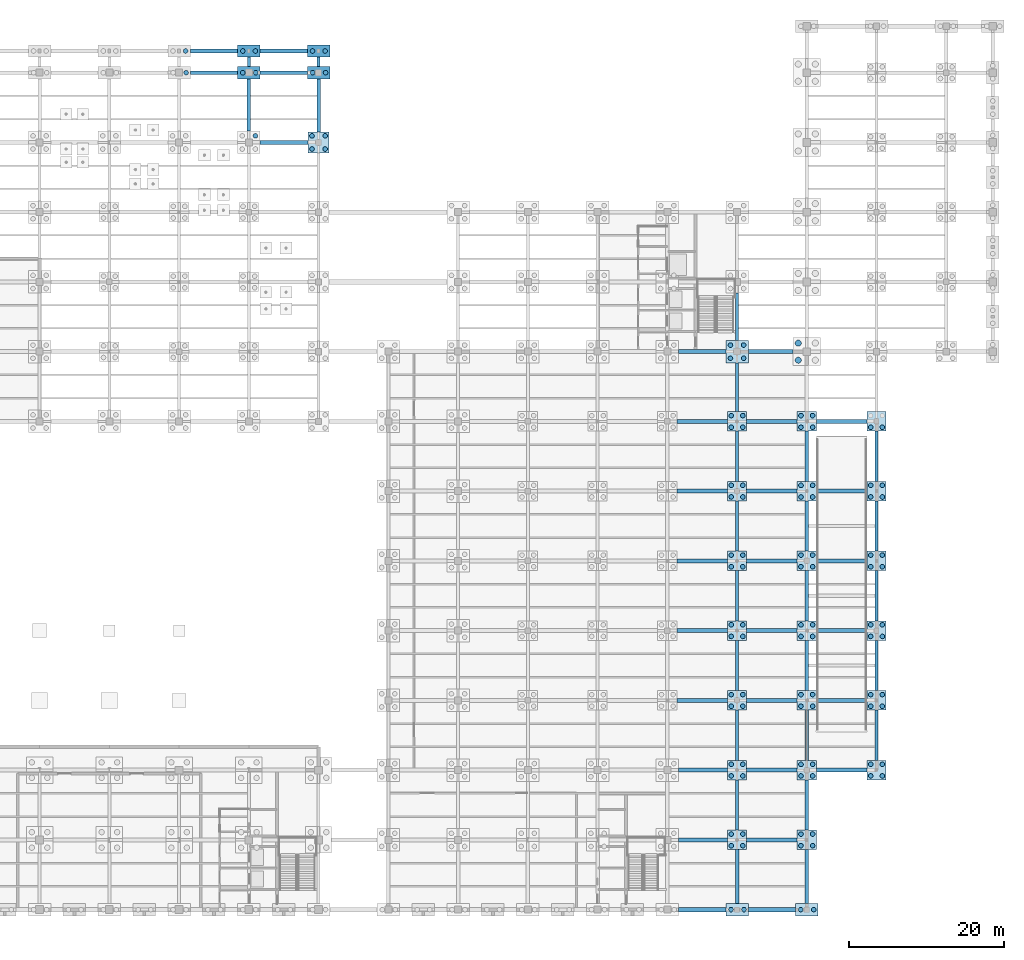
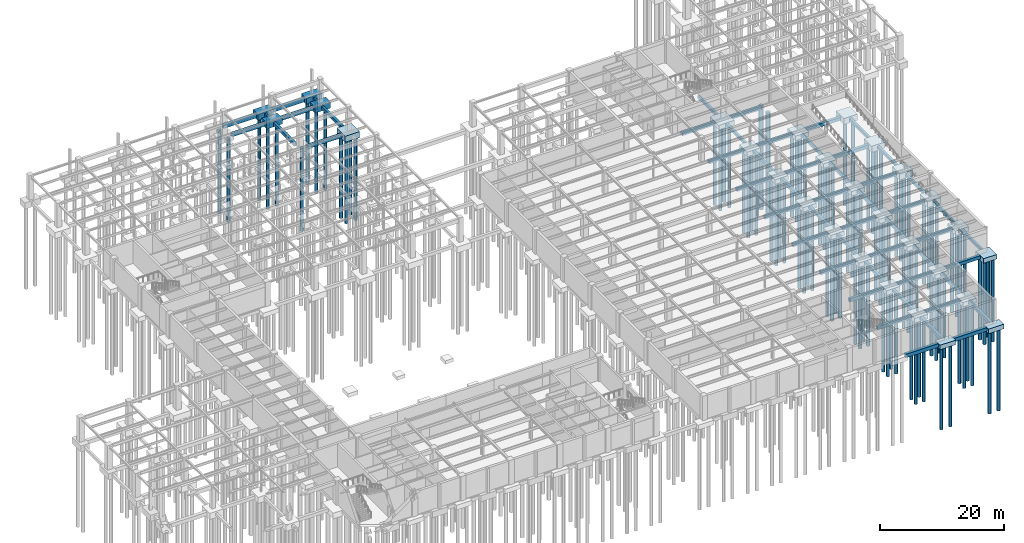
# One storey, part 7 of 49: 103 piles, 82 footings.
"""IFC4 building model written with IfcOpenShell, lengths in metres."""

import ifcopenshell
import ifcopenshell.guid

model = None  # the IFC model being written
_history = None  # IfcOwnerHistory: only IFC2X3 demands one
_inside = {}  # id of a spatial element -> (the spatial element, [elements in it])
_under = {}  # id of a project, library or spatial element -> (it, [spatial elements below it])
_declared = {}  # id of a project -> (the project, [libraries it declares])
_typed = {}  # id of a type object -> (the type object, [elements of that type])
_made_of = {}  # id of a material, layer set ... -> (it, [elements and type objects made of it])


def new_model(schema):
    """Start an empty IFC model of exactly this schema.

    Asked for "IFC4X3", IfcOpenShell would pick the latest addendum, in which some entities
    have other attributes; the version numbers below select the first issue.
    IFC2X3 requires an IfcOwnerHistory on every rooted entity: one is made here for all.
    """
    global model, _history
    if schema == "IFC4X3":
        model = ifcopenshell.file(schema_version=(4, 3, 0, 0))
    else:
        model = ifcopenshell.file(schema=schema)
    _inside.clear()
    _under.clear()
    _declared.clear()
    _typed.clear()
    _made_of.clear()
    _history = None
    if model.schema == "IFC2X3":
        org = make("IfcOrganization", Name="unknown")
        user = make(
            "IfcPersonAndOrganization",
            ThePerson=make("IfcPerson", FamilyName="unknown"),
            TheOrganization=org,
        )
        app = make(
            "IfcApplication",
            ApplicationDeveloper=org,
            Version="unknown",
            ApplicationFullName="unknown",
            ApplicationIdentifier="unknown",
        )
        _history = make(
            "IfcOwnerHistory",
            OwningUser=user,
            OwningApplication=app,
            ChangeAction="ADDED",
            CreationDate=0,
        )
    return model


def make(cls, **values):
    """One entity of the class cls with the attributes given. An attribute that is None is left unset."""
    return model.create_entity(
        cls, **{name: value for name, value in values.items() if value is not None}
    )


def rooted(cls, **values):
    """An entity with a GlobalId (a new one), such as an element, a storey or a relation."""
    return make(cls, GlobalId=ifcopenshell.guid.new(), OwnerHistory=_history, **values)


def si_unit(unit_type, name, prefix=None):
    """IfcSIUnit, for example si_unit("LENGTHUNIT", "METRE", prefix="MILLI")."""
    return make("IfcSIUnit", UnitType=unit_type, Prefix=prefix, Name=name)


def assignment(units):
    """IfcUnitAssignment: the units of a project."""
    return None if units is None else make("IfcUnitAssignment", Units=units)


def point(xyz):
    """IfcCartesianPoint."""
    return None if xyz is None else make("IfcCartesianPoint", Coordinates=xyz)


def direction(xyz):
    """IfcDirection."""
    return None if xyz is None else make("IfcDirection", DirectionRatios=xyz)


def frame(location, z_axis=None, x_axis=None):
    """IfcAxis2Placement3D, a coordinate frame: its origin and axes. An axis left out is left unset."""
    return make(
        "IfcAxis2Placement3D",
        Location=point(location),
        Axis=direction(z_axis),
        RefDirection=direction(x_axis),
    )


def frame_2d(location, x_axis=None):
    """IfcAxis2Placement2D, a coordinate frame in the plane: its origin and x axis."""
    return make(
        "IfcAxis2Placement2D", Location=point(location), RefDirection=direction(x_axis)
    )


def origin():
    """The frame at (0, 0, 0) with its axes left unset."""
    return frame((0.0, 0.0, 0.0))


def origin_2d():
    """The frame at (0, 0) in the plane with its x axis left unset."""
    return frame_2d((0.0, 0.0))


def place(relative_to, where):
    """IfcLocalPlacement: puts the frame where relative to a parent placement (None: the world)."""
    return make(
        "IfcLocalPlacement", PlacementRelTo=relative_to, RelativePlacement=where
    )


def context(
    kind, dimensions, precision=None, world=None, true_north=None, identifier=None
):
    """IfcGeometricRepresentationContext, for example the 3D "Model" context."""
    return make(
        "IfcGeometricRepresentationContext",
        ContextIdentifier=identifier,
        ContextType=kind,
        CoordinateSpaceDimension=dimensions,
        Precision=precision,
        WorldCoordinateSystem=world,
        TrueNorth=true_north,
    )


def subcontext(parent, identifier, kind, view, scale=None):
    """IfcGeometricRepresentationSubContext, for example "Body" below "Model"."""
    return make(
        "IfcGeometricRepresentationSubContext",
        ContextIdentifier=identifier,
        ContextType=kind,
        ParentContext=parent,
        TargetScale=scale,
        TargetView=view,
    )


def project(units=None, contexts=None):
    """IfcProject with its units and contexts."""
    return rooted(
        "IfcProject",
        Name="project",
        RepresentationContexts=contexts,
        UnitsInContext=assignment(units),
    )


def spatial(cls, under=None, at=None, **own):
    """A site, building, storey or space (cls), placed at a placement, below another one or the project."""
    s = rooted(cls, ObjectPlacement=at, **own)
    if under is not None:
        _under.setdefault(under.id(), (under, []))[1].append(s)
    return s


def profile(cls, at=None, kind="AREA", **sizes):
    """A parametric profile (cls). Its sizes go by their IFC names, for example OverallWidth=200.0."""
    return make(cls, ProfileType=kind, Position=at, **sizes)


def rectangle(**sizes):
    """IfcRectangleProfileDef."""
    return profile("IfcRectangleProfileDef", **sizes)


def circle(**sizes):
    """IfcCircleProfileDef."""
    return profile("IfcCircleProfileDef", **sizes)


def extrude(swept, where, along, depth):
    """IfcExtrudedAreaSolid: the profile swept, set in the frame where, extruded along a direction by depth."""
    return make(
        "IfcExtrudedAreaSolid",
        SweptArea=swept,
        Position=where,
        ExtrudedDirection=direction(along),
        Depth=depth,
    )


def shape(context_of_items, identifier, shape_type, items):
    """IfcShapeRepresentation: the items that make up one representation, for example the "Body"."""
    return make(
        "IfcShapeRepresentation",
        ContextOfItems=context_of_items,
        RepresentationIdentifier=identifier,
        RepresentationType=shape_type,
        Items=items,
    )


def material(Name=None, Category=None):
    """IfcMaterial."""
    return make("IfcMaterial", Name=Name, Category=Category)


def material_profile(
    of_material, cross_section, Name=None, Category=None, Priority=None
):
    """IfcMaterialProfile: a cross section and its material."""
    return make(
        "IfcMaterialProfile",
        Name=Name,
        Material=of_material,
        Profile=cross_section,
        Priority=Priority,
        Category=Category,
    )


def profile_set(profiles, Name=None, composite=None):
    """IfcMaterialProfileSet."""
    return make(
        "IfcMaterialProfileSet",
        Name=Name,
        MaterialProfiles=profiles,
        CompositeProfile=composite,
    )


def made_of(thing, what):
    """Note that an element or type object is made of a material, layer set ...; save() writes the relation."""
    if what is not None:
        _made_of.setdefault(what.id(), (what, []))[1].append(thing)
    return thing


def type_object(cls, material=None, **own):
    """A type object (cls), such as IfcWallType, which elements share."""
    return made_of(rooted(cls, **own), material)


def element(
    cls,
    number,
    at=None,
    inside=None,
    cuts=None,
    type_object=None,
    material=None,
    context=None,
    identifier="Body",
    shape_type=None,
    held_by="IfcProductDefinitionShape",
    body=None,
    shapes=None,
    **own,
):
    """One element of the class cls, such as IfcWall. Its Tag is "e" and its number.

    at: its placement. inside: the storey or other place that contains it. cuts: it is an
    opening in that element (IfcRelVoidsElement). A single representation is given by context,
    identifier, shape_type and body (its items); several are given by shapes. held_by: the class
    of the entity that holds the representations. save() writes the other relations.
    """
    e = rooted(cls, Tag="e%d" % number, ObjectPlacement=at, **own)
    if body is not None:
        shapes = [shape(context, identifier, shape_type, body)]
    if shapes is not None:
        e.Representation = make(held_by, Representations=shapes)
    if inside is not None:
        _inside.setdefault(inside.id(), (inside, []))[1].append(e)
    if cuts is not None:
        rooted(
            "IfcRelVoidsElement", RelatingBuildingElement=cuts, RelatedOpeningElement=e
        )
    if type_object is not None:
        _typed.setdefault(type_object.id(), (type_object, []))[1].append(e)
    return made_of(e, material)


def aggregate(whole, parts):
    """IfcRelAggregates: a whole, such as a stair, and the parts it consists of."""
    return rooted("IfcRelAggregates", RelatingObject=whole, RelatedObjects=parts)


def save(model, path):
    """Write the relations noted so far, then the file.

    IfcRelAggregates (storeys below a building ...), IfcRelContainedInSpatialStructure (elements
    in a storey), IfcRelDefinesByType, IfcRelAssociatesMaterial and IfcRelDeclares: one each for
    every whole, place, type object, material and project.
    """
    for whole, parts in _under.values():
        aggregate(whole, parts)
    for where, things in _inside.values():
        rooted(
            "IfcRelContainedInSpatialStructure",
            RelatedElements=things,
            RelatingStructure=where,
        )
    for kind, things in _typed.values():
        rooted("IfcRelDefinesByType", RelatedObjects=things, RelatingType=kind)
    for what, things in _made_of.values():
        rooted("IfcRelAssociatesMaterial", RelatedObjects=things, RelatingMaterial=what)
    for by, libraries in _declared.values():
        rooted("IfcRelDeclares", RelatingContext=by, RelatedDefinitions=libraries)
    model.write(path)


model = new_model("IFC4")

# Units and contexts
model_context = context("Model", 3, precision=1e-05, world=origin(), true_north=direction((0.0, 1.0)))
body_context = subcontext(model_context, "Body", "Model", "MODEL_VIEW")
ifc_project = project(units=[si_unit("LENGTHUNIT", "METRE"), si_unit("AREAUNIT", "SQUARE_METRE"), si_unit("VOLUMEUNIT", "CUBIC_METRE"), si_unit("PLANEANGLEUNIT", "RADIAN"), si_unit("MASSUNIT", "GRAM", prefix="KILO")], contexts=[model_context])

# Site, building, storey
site_placement = place(None, origin())
site = spatial("IfcSite", under=ifc_project, at=site_placement, CompositionType="ELEMENT")
building_placement = place(site_placement, origin())
building = spatial("IfcBuilding", under=site, at=building_placement, Name="Lykobir Media Centre", CompositionType="ELEMENT")
storey_placement = place(building_placement, frame((0.0, 0.0, -4.800048828125)))
storey = spatial("IfcBuildingStorey", under=building, at=storey_placement, Name="B1", CompositionType="ELEMENT", Elevation=-4.800048828125)

# Piles
ifc_material_1 = material(Name="Concrete C30/37", Category="concrete")
ifc_material_profile_1 = material_profile(ifc_material_1, circle(Radius=0.300048828125, at=origin_2d()), Name="BORED PILE D600")
ifc_profile_set_1 = profile_set([ifc_material_profile_1], Name="Concrete C30/37")
pile_type_1 = type_object("IfcPileType", Name="BP-600", PredefinedType="BORED", material=ifc_profile_set_1)
for number, where, z_axis, x_axis, name in (
    (1, (63.89990234375, 108.0, -1.099853515625), (0.0, 0.0, -1.0), (1.0, 0.0, 0.0), "Bored pile PILE-0639-1080-2"),
    (2, (72.85009765625, 99.85009765625, -1.099853515625), (0.0, 0.0, -1.0), (1.0, 0.0, 0.0), "Bored pile PILE-0728-0998-4"),
    (3, (71.219970703125, 108.0, -1.099853515625), (0.0, 0.0, -1.0), (1.0, 0.0, 0.0), "Bored pile PILE-0712-1080-1"),
    (4, (72.89990234375, 108.0, -1.099853515625), (0.0, 0.0, -1.0), (1.0, 0.0, 0.0), "Bored pile PILE-0729-1080-2"),
    (5, (80.14990234375, 98.14990234375, -1.099853515625), (0.0, 0.0, -1.0), (1.0, 0.0, 0.0), "Bored pile PILE-0802-0982-1"),
    (6, (81.85009765625, 98.14990234375, -1.099853515625), (0.0, 0.0, -1.0), (1.0, 0.0, 0.0), "Bored pile PILE-0818-0982-2"),
    (7, (80.14990234375, 99.85009765625, -1.099853515625), (0.0, 0.0, -1.0), (1.0, 0.0, 0.0), "Bored pile PILE-0802-0998-3"),
    (8, (81.85009765625, 99.85009765625, -1.099853515625), (0.0, 0.0, -1.0), (1.0, 0.0, 0.0), "Bored pile PILE-0818-0998-4"),
    (9, (80.219970703125, 108.0, -1.099853515625), (0.0, 0.0, -1.0), (1.0, 0.0, 0.0), "Bored pile PILE-0802-1080-1"),
    (10, (81.89990234375, 108.0, -1.099853515625), (0.0, 0.0, -1.0), (1.0, 0.0, 0.0), "Bored pile PILE-0819-1080-2"),
    (11, (134.219970703125, 0.0, -1.099853515625), (0.0, 0.0, -1.0), (1.0, 0.0, 0.0), "Bored pile PILE-1342-0000-1"),
    (12, (135.89990234375, 0.0, -1.099853515625), (0.0, 0.0, -1.0), (1.0, 0.0, 0.0), "Bored pile PILE-1359-0000-2"),
    (13, (134.25, 8.25, -1.099853515625), (0.0, 0.0, -1.0), (1.0, 0.0, 0.0), "Bored pile PILE-1342-0082-1"),
    (14, (135.75, 8.25, -1.099853515625), (0.0, 0.0, -1.0), (1.0, 0.0, 0.0), "Bored pile PILE-1358-0082-2"),
    (15, (134.25, 9.75, -1.099853515625), (0.0, 0.0, -1.0), (1.0, 0.0, 0.0), "Bored pile PILE-1342-0098-3"),
    (16, (135.75, 9.75, -1.099853515625), (0.0, 0.0, -1.0), (1.0, 0.0, 0.0), "Bored pile PILE-1358-0098-4"),
    (17, (134.25, 17.25, -1.099853515625), (0.0, 0.0, -1.0), (1.0, 0.0, 0.0), "Bored pile PILE-1342-0172-1"),
    (18, (135.75, 17.25, -1.099853515625), (0.0, 0.0, -1.0), (1.0, 0.0, 0.0), "Bored pile PILE-1358-0172-2"),
    (19, (134.25, 18.75, -1.099853515625), (0.0, 0.0, -1.0), (1.0, 0.0, 0.0), "Bored pile PILE-1342-0188-3"),
    (20, (135.75, 18.75, -1.099853515625), (0.0, 0.0, -1.0), (1.0, 0.0, 0.0), "Bored pile PILE-1358-0188-4"),
    (21, (134.25, 26.25, -1.099853515625), (0.0, 0.0, -1.0), (1.0, 0.0, 0.0), "Bored pile PILE-1342-0262-1"),
    (22, (135.75, 26.25, -1.099853515625), (0.0, 0.0, -1.0), (1.0, 0.0, 0.0), "Bored pile PILE-1358-0262-2"),
    (23, (134.25, 27.75, -1.099853515625), (0.0, 0.0, -1.0), (1.0, 0.0, 0.0), "Bored pile PILE-1342-0278-3"),
    (24, (135.75, 27.75, -1.099853515625), (0.0, 0.0, -1.0), (1.0, 0.0, 0.0), "Bored pile PILE-1358-0278-4"),
    (25, (134.25, 35.25, -1.099853515625), (0.0, 0.0, -1.0), (1.0, 0.0, 0.0), "Bored pile PILE-1342-0352-1"),
    (26, (135.75, 35.25, -1.099853515625), (0.0, 0.0, -1.0), (1.0, 0.0, 0.0), "Bored pile PILE-1358-0352-2"),
    (27, (134.25, 36.75, -1.099853515625), (0.0, 0.0, -1.0), (1.0, 0.0, 0.0), "Bored pile PILE-1342-0368-3"),
    (28, (135.75, 36.75, -1.099853515625), (0.0, 0.0, -1.0), (1.0, 0.0, 0.0), "Bored pile PILE-1358-0368-4"),
    (29, (134.25, 44.25, -1.099853515625), (0.0, 0.0, -1.0), (1.0, 0.0, 0.0), "Bored pile PILE-1342-0442-1"),
    (30, (135.75, 44.25, -1.099853515625), (0.0, 0.0, -1.0), (1.0, 0.0, 0.0), "Bored pile PILE-1358-0442-2"),
    (31, (134.25, 45.75, -1.099853515625), (0.0, 0.0, -1.0), (1.0, 0.0, 0.0), "Bored pile PILE-1342-0458-3"),
    (32, (135.75, 45.75, -1.099853515625), (0.0, 0.0, -1.0), (1.0, 0.0, 0.0), "Bored pile PILE-1358-0458-4"),
    (33, (134.25, 53.25, -1.099853515625), (0.0, 0.0, -1.0), (1.0, 0.0, 0.0), "Bored pile PILE-1342-0532-1"),
    (34, (135.75, 53.25, -1.099853515625), (0.0, 0.0, -1.0), (1.0, 0.0, 0.0), "Bored pile PILE-1358-0532-2"),
    (35, (134.25, 54.75, -1.099853515625), (0.0, 0.0, -1.0), (1.0, 0.0, 0.0), "Bored pile PILE-1342-0548-3"),
    (36, (135.75, 54.75, -1.099853515625), (0.0, 0.0, -1.0), (1.0, 0.0, 0.0), "Bored pile PILE-1358-0548-4"),
    (37, (134.25, 62.25, -1.099853515625), (0.0, 0.0, -1.0), (1.0, 0.0, 0.0), "Bored pile PILE-1342-0622-1"),
    (38, (135.75, 62.25, -1.099853515625), (0.0, 0.0, -1.0), (1.0, 0.0, 0.0), "Bored pile PILE-1358-0622-2"),
    (39, (134.25, 63.75, -1.099853515625), (0.0, 0.0, -1.0), (1.0, 0.0, 0.0), "Bored pile PILE-1342-0638-3"),
    (40, (135.75, 63.75, -1.099853515625), (0.0, 0.0, -1.0), (1.0, 0.0, 0.0), "Bored pile PILE-1358-0638-4"),
    (41, (134.14990234375, 71.14990234375, -1.099853515625), (0.0, 0.0, -1.0), (1.0, 0.0, 0.0), "Bored pile PILE-1342-0712-1"),
    (42, (135.85009765625, 71.14990234375, -1.099853515625), (0.0, 0.0, -1.0), (1.0, 0.0, 0.0), "Bored pile PILE-1358-0712-2"),
    (43, (134.14990234375, 72.85009765625, -1.099853515625), (0.0, 0.0, -1.0), (1.0, 0.0, 0.0), "Bored pile PILE-1342-0728-3"),
    (44, (135.85009765625, 72.85009765625, -1.099853515625), (0.0, 0.0, -1.0), (1.0, 0.0, 0.0), "Bored pile PILE-1358-0728-4"),
    (45, (143.219970703125, 0.0, -1.099853515625), (0.0, 0.0, -1.0), (1.0, 0.0, 0.0), "Bored pile PILE-1432-0000-1"),
    (46, (144.89990234375, 0.0, -1.099853515625), (0.0, 0.0, -1.0), (1.0, 0.0, 0.0), "Bored pile PILE-1449-0000-2"),
    (47, (143.25, 8.25, -1.099853515625), (0.0, 0.0, -1.0), (1.0, 0.0, 0.0), "Bored pile PILE-1432-0082-1"),
    (48, (144.75, 8.25, -1.099853515625), (0.0, 0.0, -1.0), (1.0, 0.0, 0.0), "Bored pile PILE-1448-0082-2"),
    (49, (143.25, 9.75, -1.099853515625), (0.0, 0.0, -1.0), (1.0, 0.0, 0.0), "Bored pile PILE-1432-0098-3"),
    (50, (144.75, 9.75, -1.099853515625), (0.0, 0.0, -1.0), (1.0, 0.0, 0.0), "Bored pile PILE-1448-0098-4"),
    (51, (143.25, 17.25, -1.099853515625), (0.0, 0.0, -1.0), (1.0, 0.0, 0.0), "Bored pile PILE-1432-0172-1"),
    (52, (144.75, 17.25, -1.099853515625), (0.0, 0.0, -1.0), (1.0, 0.0, 0.0), "Bored pile PILE-1448-0172-2"),
    (53, (143.25, 18.75, -1.099853515625), (0.0, 0.0, -1.0), (1.0, 0.0, 0.0), "Bored pile PILE-1432-0188-3"),
    (54, (144.75, 18.75, -1.099853515625), (0.0, 0.0, -1.0), (1.0, 0.0, 0.0), "Bored pile PILE-1448-0188-4"),
    (55, (143.25, 26.25, -1.099853515625), (0.0, 0.0, -1.0), (1.0, 0.0, 0.0), "Bored pile PILE-1432-0262-1"),
    (56, (144.75, 26.25, -1.099853515625), (0.0, 0.0, -1.0), (1.0, 0.0, 0.0), "Bored pile PILE-1448-0262-2"),
    (57, (143.25, 27.75, -1.099853515625), (0.0, 0.0, -1.0), (1.0, 0.0, 0.0), "Bored pile PILE-1432-0278-3"),
    (58, (144.75, 27.75, -1.099853515625), (0.0, 0.0, -1.0), (1.0, 0.0, 0.0), "Bored pile PILE-1448-0278-4"),
    (59, (143.25, 35.25, -1.099853515625), (0.0, 0.0, -1.0), (1.0, 0.0, 0.0), "Bored pile PILE-1432-0352-1"),
    (60, (144.75, 35.25, -1.099853515625), (0.0, 0.0, -1.0), (1.0, 0.0, 0.0), "Bored pile PILE-1448-0352-2"),
    (61, (143.25, 36.75, -1.099853515625), (0.0, 0.0, -1.0), (1.0, 0.0, 0.0), "Bored pile PILE-1432-0368-3"),
    (62, (144.75, 36.75, -1.099853515625), (0.0, 0.0, -1.0), (1.0, 0.0, 0.0), "Bored pile PILE-1448-0368-4"),
    (63, (143.25, 44.25, -1.099853515625), (0.0, 0.0, -1.0), (1.0, 0.0, 0.0), "Bored pile PILE-1432-0442-1"),
    (64, (144.75, 44.25, -1.099853515625), (0.0, 0.0, -1.0), (1.0, 0.0, 0.0), "Bored pile PILE-1448-0442-2"),
    (65, (143.25, 45.75, -1.099853515625), (0.0, 0.0, -1.0), (1.0, 0.0, 0.0), "Bored pile PILE-1432-0458-3"),
    (66, (144.75, 45.75, -1.099853515625), (0.0, 0.0, -1.0), (1.0, 0.0, 0.0), "Bored pile PILE-1448-0458-4"),
    (67, (143.25, 53.25, -1.099853515625), (0.0, 0.0, -1.0), (1.0, 0.0, 0.0), "Bored pile PILE-1432-0532-1"),
    (68, (144.75, 53.25, -1.099853515625), (0.0, 0.0, -1.0), (1.0, 0.0, 0.0), "Bored pile PILE-1448-0532-2"),
    (69, (143.25, 54.75, -1.099853515625), (0.0, 0.0, -1.0), (1.0, 0.0, 0.0), "Bored pile PILE-1432-0548-3"),
    (70, (144.75, 54.75, -1.099853515625), (0.0, 0.0, -1.0), (1.0, 0.0, 0.0), "Bored pile PILE-1448-0548-4"),
    (71, (143.25, 62.25, -1.099853515625), (0.0, 0.0, -1.0), (1.0, 0.0, 0.0), "Bored pile PILE-1432-0622-1"),
    (72, (144.75, 62.25, -1.099853515625), (0.0, 0.0, -1.0), (1.0, 0.0, 0.0), "Bored pile PILE-1448-0622-2"),
    (73, (143.25, 63.75, -1.099853515625), (0.0, 0.0, -1.0), (1.0, 0.0, 0.0), "Bored pile PILE-1432-0638-3"),
    (74, (144.75, 63.75, -1.099853515625), (0.0, 0.0, -1.0), (1.0, 0.0, 0.0), "Bored pile PILE-1448-0638-4"),
    (75, (152.25, 17.25, -1.099853515625), (0.0, 0.0, -1.0), (1.0, 0.0, 0.0), "Bored pile PILE-1522-0172-1"),
    (76, (153.75, 17.25, -1.099853515625), (0.0, 0.0, -1.0), (1.0, 0.0, 0.0), "Bored pile PILE-1538-0172-2"),
    (77, (152.25, 18.75, -1.099853515625), (0.0, 0.0, -1.0), (1.0, 0.0, 0.0), "Bored pile PILE-1522-0188-3"),
    (78, (153.75, 18.75, -1.099853515625), (0.0, 0.0, -1.0), (1.0, 0.0, 0.0), "Bored pile PILE-1538-0188-4"),
    (79, (152.25, 26.25, -1.099853515625), (0.0, 0.0, -1.0), (1.0, 0.0, 0.0), "Bored pile PILE-1522-0262-1"),
    (80, (153.75, 26.25, -1.099853515625), (0.0, 0.0, -1.0), (1.0, 0.0, 0.0), "Bored pile PILE-1538-0262-2"),
    (81, (152.25, 27.75, -1.099853515625), (0.0, 0.0, -1.0), (1.0, 0.0, 0.0), "Bored pile PILE-1522-0278-3"),
    (82, (153.75, 27.75, -1.099853515625), (0.0, 0.0, -1.0), (1.0, 0.0, 0.0), "Bored pile PILE-1538-0278-4"),
    (83, (152.25, 35.25, -1.099853515625), (0.0, 0.0, -1.0), (1.0, 0.0, 0.0), "Bored pile PILE-1522-0352-1"),
    (84, (153.75, 35.25, -1.099853515625), (0.0, 0.0, -1.0), (1.0, 0.0, 0.0), "Bored pile PILE-1538-0352-2"),
    (85, (152.25, 36.75, -1.099853515625), (0.0, 0.0, -1.0), (1.0, 0.0, 0.0), "Bored pile PILE-1522-0368-3"),
    (86, (153.75, 36.75, -1.099853515625), (0.0, 0.0, -1.0), (1.0, 0.0, 0.0), "Bored pile PILE-1538-0368-4"),
    (87, (152.25, 44.25, -1.099853515625), (0.0, 0.0, -1.0), (1.0, 0.0, 0.0), "Bored pile PILE-1522-0442-1"),
    (88, (153.75, 44.25, -1.099853515625), (0.0, 0.0, -1.0), (1.0, 0.0, 0.0), "Bored pile PILE-1538-0442-2"),
    (89, (152.25, 45.75, -1.099853515625), (0.0, 0.0, -1.0), (1.0, 0.0, 0.0), "Bored pile PILE-1522-0458-3"),
    (90, (153.75, 45.75, -1.099853515625), (0.0, 0.0, -1.0), (1.0, 0.0, 0.0), "Bored pile PILE-1538-0458-4"),
    (91, (152.25, 53.25, -1.099853515625), (0.0, 0.0, -1.0), (1.0, 0.0, 0.0), "Bored pile PILE-1522-0532-1"),
    (92, (153.75, 53.25, -1.099853515625), (0.0, 0.0, -1.0), (1.0, 0.0, 0.0), "Bored pile PILE-1538-0532-2"),
    (93, (152.25, 54.75, -1.099853515625), (0.0, 0.0, -1.0), (1.0, 0.0, 0.0), "Bored pile PILE-1522-0548-3"),
    (94, (153.75, 54.75, -1.099853515625), (0.0, 0.0, -1.0), (1.0, 0.0, 0.0), "Bored pile PILE-1538-0548-4"),
    (95, (152.25, 62.25, -1.099853515625), (0.0, 0.0, -1.0), (1.0, 0.0, 0.0), "Bored pile PILE-1522-0622-1"),
    (96, (153.75, 62.25, -1.099853515625), (0.0, 0.0, -1.0), (1.0, 0.0, 0.0), "Bored pile PILE-1538-0622-2"),
    (97, (63.85009765625, 110.800048828125, -1.099853515625), (0.0, 0.0, -1.0), (1.0, 0.0, 0.0), "Colonnade bored pile PILE-RVK-0638-1108-2"),
    (98, (71.219970703125, 110.800048828125, -1.099853515625), (0.0, 0.0, -1.0), (1.0, 0.0, 0.0), "Colonnade bored pile PILE-RVK-0712-1108-1"),
    (99, (72.85009765625, 110.800048828125, -1.099853515625), (0.0, 0.0, -1.0), (1.0, 0.0, 0.0), "Colonnade bored pile PILE-RVK-0728-1108-2"),
    (100, (80.219970703125, 110.800048828125, -1.099853515625), (0.0, 0.0, -1.0), (1.0, 0.0, 0.0), "Colonnade bored pile PILE-RVK-0802-1108-1"),
    (101, (81.85009765625, 110.800048828125, -1.099853515625), (0.0, 0.0, -1.0), (1.0, 0.0, 0.0), "Colonnade bored pile PILE-RVK-0818-1108-2"),
):
    element("IfcPile", number, at=place(storey_placement, frame(where, z_axis=z_axis, x_axis=x_axis)), inside=storey, type_object=pile_type_1, Name=name, PredefinedType="BORED", context=body_context, shape_type="SweptSolid", body=[
        extrude(circle(Radius=0.300048828125, at=origin_2d()), origin(), (0.0, 0.0, 1.0), 16.39990234375),
    ])
ifc_material_profile_2 = material_profile(ifc_material_1, circle(Radius=0.39990234375, at=origin_2d()), Name="BORED PILE D800")
ifc_profile_set_2 = profile_set([ifc_material_profile_2], Name="Concrete C30/37")
pile_type_2 = type_object("IfcPileType", Name="BP-800", PredefinedType="BORED", material=ifc_profile_set_2)
for number, where, z_axis, x_axis, name in (
    (102, (142.89990234375, 70.89990234375, -1.099853515625), (0.0, 0.0, -1.0), (1.0, 0.0, 0.0), "Bored pile PILE-1429-0709-1"),
    (103, (142.89990234375, 73.10009765625, -1.099853515625), (0.0, 0.0, -1.0), (1.0, 0.0, 0.0), "Bored pile PILE-1429-0731-3"),
):
    element("IfcPile", number, at=place(storey_placement, frame(where, z_axis=z_axis, x_axis=x_axis)), inside=storey, type_object=pile_type_2, Name=name, PredefinedType="BORED", context=body_context, shape_type="SweptSolid", body=[
        extrude(circle(Radius=0.39990234375, at=origin_2d()), origin(), (0.0, 0.0, 1.0), 20.39990234375),
    ])

# Footings
ifc_material_2 = material(Name="Concrete C35/45", Category="concrete")
footing_type_1 = type_object("IfcFootingType", Name="GB-2", PredefinedType="FOOTING_BEAM", material=ifc_material_2)
for number, where, z_axis, x_axis, name in (
    (104, (130.5, 0.0, -1.0), (0.0, 0.0, 1.0), (1.0, 0.0, 0.0), "Ground tie beam FTG-GB-X-028"),
    (105, (139.5, 0.0, -1.0), (0.0, 0.0, 1.0), (1.0, 0.0, 0.0), "Ground tie beam FTG-GB-X-029"),
    (106, (67.5, 110.800048828125, -1.0), (0.0, 0.0, 1.0), (1.0, 0.0, 0.0), "Ground tie beam FTG-GB-X-184"),
    (107, (76.5, 110.800048828125, -1.0), (0.0, 0.0, 1.0), (1.0, 0.0, 0.0), "Ground tie beam FTG-GB-X-185"),
):
    element("IfcFooting", number, at=place(storey_placement, frame(where, z_axis=z_axis, x_axis=x_axis)), inside=storey, type_object=footing_type_1, Name=name, PredefinedType="FOOTING_BEAM", context=body_context, shape_type="SweptSolid", body=[
        extrude(rectangle(XDim=6.10009765625, YDim=0.550048828125, at=origin_2d()), origin(), (0.0, 0.0, 1.0), 0.699951171875),
    ])
footing_type_2 = type_object("IfcFootingType", Name="GB-3", PredefinedType="FOOTING_BEAM", material=ifc_material_2)
footing_1_placement = place(storey_placement, frame((130.60009765625, 9.0, -0.949951171875), z_axis=(0.0, 0.0, 1.0), x_axis=(1.0, 0.0, 0.0)))
element("IfcFooting", 108, at=footing_1_placement, inside=storey, type_object=footing_type_2, Name="Ground tie beam FTG-GB-X-044", PredefinedType="FOOTING_BEAM", context=body_context, shape_type="SweptSolid", body=[
    extrude(rectangle(XDim=6.300048828125, YDim=0.5, at=origin_2d()), origin(), (0.0, 0.0, 1.0), 0.64990234375),
])
footing_2_placement = place(storey_placement, frame((139.5, 9.0, -0.949951171875), z_axis=(0.0, 0.0, 1.0), x_axis=(1.0, 0.0, 0.0)))
element("IfcFooting", 109, at=footing_2_placement, inside=storey, type_object=footing_type_2, Name="Ground tie beam FTG-GB-X-045", PredefinedType="FOOTING_BEAM", context=body_context, shape_type="SweptSolid", body=[
    extrude(rectangle(XDim=6.5, YDim=0.5, at=origin_2d()), origin(), (0.0, 0.0, 1.0), 0.64990234375),
])
footing_3_placement = place(storey_placement, frame((130.60009765625, 18.0, -0.949951171875), z_axis=(0.0, 0.0, 1.0), x_axis=(1.0, 0.0, 0.0)))
element("IfcFooting", 110, at=footing_3_placement, inside=storey, type_object=footing_type_2, Name="Ground tie beam FTG-GB-X-060", PredefinedType="FOOTING_BEAM", context=body_context, shape_type="SweptSolid", body=[
    extrude(rectangle(XDim=6.300048828125, YDim=0.5, at=origin_2d()), origin(), (0.0, 0.0, 1.0), 0.64990234375),
])
for number, where, z_axis, x_axis, name in (
    (111, (139.5, 18.0, -0.949951171875), (0.0, 0.0, 1.0), (1.0, 0.0, 0.0), "Ground tie beam FTG-GB-X-061"),
    (112, (148.5, 18.0, -0.949951171875), (0.0, 0.0, 1.0), (1.0, 0.0, 0.0), "Ground tie beam FTG-GB-X-062"),
    (113, (130.5, 27.0, -0.949951171875), (0.0, 0.0, 1.0), (1.0, 0.0, 0.0), "Ground tie beam FTG-GB-X-071"),
    (114, (139.5, 27.0, -0.949951171875), (0.0, 0.0, 1.0), (1.0, 0.0, 0.0), "Ground tie beam FTG-GB-X-072"),
    (115, (148.5, 27.0, -0.949951171875), (0.0, 0.0, 1.0), (1.0, 0.0, 0.0), "Ground tie beam FTG-GB-X-073"),
    (116, (130.5, 36.0, -0.949951171875), (0.0, 0.0, 1.0), (1.0, 0.0, 0.0), "Ground tie beam FTG-GB-X-081"),
    (117, (139.5, 36.0, -0.949951171875), (0.0, 0.0, 1.0), (1.0, 0.0, 0.0), "Ground tie beam FTG-GB-X-082"),
    (118, (148.5, 36.0, -0.949951171875), (0.0, 0.0, 1.0), (1.0, 0.0, 0.0), "Ground tie beam FTG-GB-X-083"),
    (119, (130.5, 45.0, -0.949951171875), (0.0, 0.0, 1.0), (1.0, 0.0, 0.0), "Ground tie beam FTG-GB-X-092"),
    (120, (139.5, 45.0, -0.949951171875), (0.0, 0.0, 1.0), (1.0, 0.0, 0.0), "Ground tie beam FTG-GB-X-093"),
    (121, (148.5, 45.0, -0.949951171875), (0.0, 0.0, 1.0), (1.0, 0.0, 0.0), "Ground tie beam FTG-GB-X-094"),
    (122, (130.5, 54.0, -0.949951171875), (0.0, 0.0, 1.0), (1.0, 0.0, 0.0), "Ground tie beam FTG-GB-X-100"),
    (123, (139.5, 54.0, -0.949951171875), (0.0, 0.0, 1.0), (1.0, 0.0, 0.0), "Ground tie beam FTG-GB-X-101"),
    (124, (148.5, 54.0, -0.949951171875), (0.0, 0.0, 1.0), (1.0, 0.0, 0.0), "Ground tie beam FTG-GB-X-102"),
    (125, (130.5, 63.0, -0.949951171875), (0.0, 0.0, 1.0), (1.0, 0.0, 0.0), "Ground tie beam FTG-GB-X-114"),
    (126, (139.5, 63.0, -0.949951171875), (0.0, 0.0, 1.0), (1.0, 0.0, 0.0), "Ground tie beam FTG-GB-X-115"),
    (127, (148.5, 63.0, -0.949951171875), (0.0, 0.0, 1.0), (1.0, 0.0, 0.0), "Ground tie beam FTG-GB-X-116"),
):
    element("IfcFooting", number, at=place(storey_placement, frame(where, z_axis=z_axis, x_axis=x_axis)), inside=storey, type_object=footing_type_2, Name=name, PredefinedType="FOOTING_BEAM", context=body_context, shape_type="SweptSolid", body=[
        extrude(rectangle(XDim=6.5, YDim=0.5, at=origin_2d()), origin(), (0.0, 0.0, 1.0), 0.64990234375),
    ])
footing_4_placement = place(storey_placement, frame((130.5, 72.0, -0.949951171875), z_axis=(0.0, 0.0, 1.0), x_axis=(1.0, 0.0, 0.0)))
element("IfcFooting", 128, at=footing_4_placement, inside=storey, type_object=footing_type_2, Name="Ground tie beam FTG-GB-X-128", PredefinedType="FOOTING_BEAM", context=body_context, shape_type="SweptSolid", body=[
    extrude(rectangle(XDim=6.10009765625, YDim=0.5, at=origin_2d()), origin(), (0.0, 0.0, 1.0), 0.64990234375),
])
footing_5_placement = place(storey_placement, frame((139.324951171875, 72.0, -0.949951171875), z_axis=(0.0, 0.0, 1.0), x_axis=(1.0, 0.0, 0.0)))
element("IfcFooting", 129, at=footing_5_placement, inside=storey, type_object=footing_type_2, Name="Ground tie beam FTG-GB-X-129", PredefinedType="FOOTING_BEAM", context=body_context, shape_type="SweptSolid", body=[
    extrude(rectangle(XDim=5.75, YDim=0.5, at=origin_2d()), origin(), (0.0, 0.0, 1.0), 0.64990234375),
])
footing_6_placement = place(storey_placement, frame((76.550048828125, 99.0, -0.949951171875), z_axis=(0.0, 0.0, 1.0), x_axis=(1.0, 0.0, 0.0)))
element("IfcFooting", 130, at=footing_6_placement, inside=storey, type_object=footing_type_2, Name="Ground tie beam FTG-GB-X-168", PredefinedType="FOOTING_BEAM", context=body_context, shape_type="SweptSolid", body=[
    extrude(rectangle(XDim=6.199951171875, YDim=0.5, at=origin_2d()), origin(), (0.0, 0.0, 1.0), 0.64990234375),
])
for number, where, z_axis, x_axis, name in (
    (131, (67.5, 108.0, -0.949951171875), (0.0, 0.0, 1.0), (1.0, 0.0, 0.0), "Ground tie beam FTG-GB-X-176"),
    (132, (76.5, 108.0, -0.949951171875), (0.0, 0.0, 1.0), (1.0, 0.0, 0.0), "Ground tie beam FTG-GB-X-177"),
):
    element("IfcFooting", number, at=place(storey_placement, frame(where, z_axis=z_axis, x_axis=x_axis)), inside=storey, type_object=footing_type_2, Name=name, PredefinedType="FOOTING_BEAM", context=body_context, shape_type="SweptSolid", body=[
        extrude(rectangle(XDim=6.10009765625, YDim=0.5, at=origin_2d()), origin(), (0.0, 0.0, 1.0), 0.64990234375),
    ])
footing_type_3 = type_object("IfcFootingType", Name="GB-4", PredefinedType="FOOTING_BEAM", material=ifc_material_2)
footing_7_placement = place(storey_placement, frame((72.0, 103.824951171875, -0.89990234375), z_axis=(0.0, 0.0, 1.0), x_axis=(0.0, 1.0, 0.0)))
element("IfcFooting", 133, at=footing_7_placement, inside=storey, type_object=footing_type_3, Name="Ground tie beam FTG-GB-Y-260", PredefinedType="FOOTING_BEAM", context=body_context, shape_type="SweptSolid", body=[
    extrude(rectangle(XDim=6.75, YDim=0.449951171875, at=origin_2d()), origin(), (0.0, 0.0, 1.0), 0.60009765625),
])
footing_8_placement = place(storey_placement, frame((81.0, 103.77490234375, -0.89990234375), z_axis=(0.0, 0.0, 1.0), x_axis=(0.0, 1.0, 0.0)))
element("IfcFooting", 134, at=footing_8_placement, inside=storey, type_object=footing_type_3, Name="Ground tie beam FTG-GB-Y-268", PredefinedType="FOOTING_BEAM", context=body_context, shape_type="SweptSolid", body=[
    extrude(rectangle(XDim=6.85009765625, YDim=0.449951171875, at=origin_2d()), origin(), (0.0, 0.0, 1.0), 0.60009765625),
])
for number, where, z_axis, x_axis, name in (
    (135, (135.0, 4.27490234375, -0.89990234375), (0.0, 0.0, 1.0), (0.0, 1.0, 0.0), "Ground tie beam FTG-GB-Y-318"),
    (136, (144.0, 4.27490234375, -0.89990234375), (0.0, 0.0, 1.0), (0.0, 1.0, 0.0), "Ground tie beam FTG-GB-Y-328"),
):
    element("IfcFooting", number, at=place(storey_placement, frame(where, z_axis=z_axis, x_axis=x_axis)), inside=storey, type_object=footing_type_3, Name=name, PredefinedType="FOOTING_BEAM", context=body_context, shape_type="SweptSolid", body=[
        extrude(rectangle(XDim=6.949951171875, YDim=0.449951171875, at=origin_2d()), origin(), (0.0, 0.0, 1.0), 0.60009765625),
    ])
footing_type_4 = type_object("IfcFootingType", Name="GB-5", PredefinedType="FOOTING_BEAM", material=ifc_material_2)
for number, where, z_axis, x_axis, name in (
    (137, (72.0, 109.39990234375, -0.85009765625), (0.0, 0.0, 1.0), (0.0, 1.0, 0.0), "Ground tie beam FTG-GB-Y-261"),
    (138, (81.0, 109.39990234375, -0.85009765625), (0.0, 0.0, 1.0), (0.0, 1.0, 0.0), "Ground tie beam FTG-GB-Y-269"),
):
    element("IfcFooting", number, at=place(storey_placement, frame(where, z_axis=z_axis, x_axis=x_axis)), inside=storey, type_object=footing_type_4, Name=name, PredefinedType="FOOTING_BEAM", context=body_context, shape_type="SweptSolid", body=[
        extrude(rectangle(XDim=1.199951171875, YDim=0.39990234375, at=origin_2d()), origin(), (0.0, 0.0, 1.0), 0.550048828125),
    ])
for number, where, z_axis, x_axis, name in (
    (139, (135.0, 13.5, -0.85009765625), (0.0, 0.0, 1.0), (0.0, 1.0, 0.0), "Ground tie beam FTG-GB-Y-319"),
    (140, (135.0, 22.5, -0.85009765625), (0.0, 0.0, 1.0), (0.0, 1.0, 0.0), "Ground tie beam FTG-GB-Y-320"),
    (141, (135.0, 31.5, -0.85009765625), (0.0, 0.0, 1.0), (0.0, 1.0, 0.0), "Ground tie beam FTG-GB-Y-321"),
    (142, (135.0, 40.5, -0.85009765625), (0.0, 0.0, 1.0), (0.0, 1.0, 0.0), "Ground tie beam FTG-GB-Y-322"),
    (143, (135.0, 49.5, -0.85009765625), (0.0, 0.0, 1.0), (0.0, 1.0, 0.0), "Ground tie beam FTG-GB-Y-323"),
    (144, (135.0, 58.5, -0.85009765625), (0.0, 0.0, 1.0), (0.0, 1.0, 0.0), "Ground tie beam FTG-GB-Y-324"),
):
    element("IfcFooting", number, at=place(storey_placement, frame(where, z_axis=z_axis, x_axis=x_axis)), inside=storey, type_object=footing_type_4, Name=name, PredefinedType="FOOTING_BEAM", context=body_context, shape_type="SweptSolid", body=[
        extrude(rectangle(XDim=6.5, YDim=0.39990234375, at=origin_2d()), origin(), (0.0, 0.0, 1.0), 0.550048828125),
    ])
footing_9_placement = place(storey_placement, frame((135.0, 67.39990234375, -0.85009765625), z_axis=(0.0, 0.0, 1.0), x_axis=(0.0, 1.0, 0.0)))
element("IfcFooting", 145, at=footing_9_placement, inside=storey, type_object=footing_type_4, Name="Ground tie beam FTG-GB-Y-325", PredefinedType="FOOTING_BEAM", context=body_context, shape_type="SweptSolid", body=[
    extrude(rectangle(XDim=6.300048828125, YDim=0.39990234375, at=origin_2d()), origin(), (0.0, 0.0, 1.0), 0.550048828125),
])
footing_10_placement = place(storey_placement, frame((135.0, 76.5, -0.85009765625), z_axis=(0.0, 0.0, 1.0), x_axis=(0.0, 1.0, 0.0)))
element("IfcFooting", 146, at=footing_10_placement, inside=storey, type_object=footing_type_4, Name="Ground tie beam FTG-GB-Y-326", PredefinedType="FOOTING_BEAM", context=body_context, shape_type="SweptSolid", body=[
    extrude(rectangle(XDim=6.10009765625, YDim=0.39990234375, at=origin_2d()), origin(), (0.0, 0.0, 1.0), 0.550048828125),
])
for number, where, z_axis, x_axis, name in (
    (147, (144.0, 13.5, -0.85009765625), (0.0, 0.0, 1.0), (0.0, 1.0, 0.0), "Ground tie beam FTG-GB-Y-329"),
    (148, (144.0, 22.5, -0.85009765625), (0.0, 0.0, 1.0), (0.0, 1.0, 0.0), "Ground tie beam FTG-GB-Y-330"),
    (149, (144.0, 31.5, -0.85009765625), (0.0, 0.0, 1.0), (0.0, 1.0, 0.0), "Ground tie beam FTG-GB-Y-331"),
    (150, (144.0, 40.5, -0.85009765625), (0.0, 0.0, 1.0), (0.0, 1.0, 0.0), "Ground tie beam FTG-GB-Y-332"),
    (151, (144.0, 49.5, -0.85009765625), (0.0, 0.0, 1.0), (0.0, 1.0, 0.0), "Ground tie beam FTG-GB-Y-333"),
    (152, (144.0, 58.5, -0.85009765625), (0.0, 0.0, 1.0), (0.0, 1.0, 0.0), "Ground tie beam FTG-GB-Y-334"),
    (153, (153.0, 22.5, -0.85009765625), (0.0, 0.0, 1.0), (0.0, 1.0, 0.0), "Ground tie beam FTG-GB-Y-341"),
    (154, (153.0, 31.5, -0.85009765625), (0.0, 0.0, 1.0), (0.0, 1.0, 0.0), "Ground tie beam FTG-GB-Y-342"),
    (155, (153.0, 40.5, -0.85009765625), (0.0, 0.0, 1.0), (0.0, 1.0, 0.0), "Ground tie beam FTG-GB-Y-343"),
    (156, (153.0, 49.5, -0.85009765625), (0.0, 0.0, 1.0), (0.0, 1.0, 0.0), "Ground tie beam FTG-GB-Y-344"),
    (157, (153.0, 58.5, -0.85009765625), (0.0, 0.0, 1.0), (0.0, 1.0, 0.0), "Ground tie beam FTG-GB-Y-345"),
):
    element("IfcFooting", number, at=place(storey_placement, frame(where, z_axis=z_axis, x_axis=x_axis)), inside=storey, type_object=footing_type_4, Name=name, PredefinedType="FOOTING_BEAM", context=body_context, shape_type="SweptSolid", body=[
        extrude(rectangle(XDim=6.5, YDim=0.39990234375, at=origin_2d()), origin(), (0.0, 0.0, 1.0), 0.550048828125),
    ])
footing_type_5 = type_object("IfcFootingType", Name="PC-4", PredefinedType="PILE_CAP", material=ifc_material_2)
footing_11_placement = place(storey_placement, frame((135.0, 72.0, -1.199951171875), z_axis=(0.0, 0.0, 1.0), x_axis=(1.0, 0.0, 0.0)))
element("IfcFooting", 158, at=footing_11_placement, inside=storey, type_object=footing_type_5, Name="Pile cap FTG-PC-1350-0720", PredefinedType="PILE_CAP", context=body_context, shape_type="SweptSolid", body=[
    extrude(rectangle(XDim=2.89990234375, YDim=2.89990234375, at=origin_2d()), origin(), (0.0, 0.0, 1.0), 0.89990234375),
])
footing_type_6 = type_object("IfcFootingType", Name="PC-5", PredefinedType="PILE_CAP", material=ifc_material_2)
footing_12_placement = place(storey_placement, frame((81.0, 99.0, -1.19970703125), z_axis=(0.0, 0.0, 1.0), x_axis=(1.0, 0.0, 0.0)))
element("IfcFooting", 159, at=footing_12_placement, inside=storey, type_object=footing_type_6, Name="Pile cap FTG-PC-0810-0990", PredefinedType="PILE_CAP", context=body_context, shape_type="SweptSolid", body=[
    extrude(rectangle(XDim=2.699951171875, YDim=2.699951171875, at=origin_2d()), origin(), (0.0, 0.0, 1.0), 1.199951171875),
])
footing_type_7 = type_object("IfcFootingType", Name="PC-6", PredefinedType="PILE_CAP", material=ifc_material_2)
for number, where, z_axis, x_axis, name in (
    (160, (135.0, 9.0, -1.199951171875), (0.0, 0.0, 1.0), (1.0, 0.0, 0.0), "Pile cap FTG-PC-1350-0090"),
    (161, (135.0, 18.0, -1.199951171875), (0.0, 0.0, 1.0), (1.0, 0.0, 0.0), "Pile cap FTG-PC-1350-0180"),
    (162, (135.0, 27.0, -1.199951171875), (0.0, 0.0, 1.0), (1.0, 0.0, 0.0), "Pile cap FTG-PC-1350-0270"),
    (163, (135.0, 36.0, -1.199951171875), (0.0, 0.0, 1.0), (1.0, 0.0, 0.0), "Pile cap FTG-PC-1350-0360"),
    (164, (135.0, 45.0, -1.199951171875), (0.0, 0.0, 1.0), (1.0, 0.0, 0.0), "Pile cap FTG-PC-1350-0450"),
    (165, (135.0, 54.0, -1.199951171875), (0.0, 0.0, 1.0), (1.0, 0.0, 0.0), "Pile cap FTG-PC-1350-0540"),
    (166, (135.0, 63.0, -1.199951171875), (0.0, 0.0, 1.0), (1.0, 0.0, 0.0), "Pile cap FTG-PC-1350-0630"),
    (167, (144.0, 9.0, -1.199951171875), (0.0, 0.0, 1.0), (1.0, 0.0, 0.0), "Pile cap FTG-PC-1440-0090"),
    (168, (144.0, 18.0, -1.199951171875), (0.0, 0.0, 1.0), (1.0, 0.0, 0.0), "Pile cap FTG-PC-1440-0180"),
    (169, (144.0, 27.0, -1.199951171875), (0.0, 0.0, 1.0), (1.0, 0.0, 0.0), "Pile cap FTG-PC-1440-0270"),
    (170, (144.0, 36.0, -1.199951171875), (0.0, 0.0, 1.0), (1.0, 0.0, 0.0), "Pile cap FTG-PC-1440-0360"),
    (171, (144.0, 45.0, -1.199951171875), (0.0, 0.0, 1.0), (1.0, 0.0, 0.0), "Pile cap FTG-PC-1440-0450"),
    (172, (144.0, 54.0, -1.199951171875), (0.0, 0.0, 1.0), (1.0, 0.0, 0.0), "Pile cap FTG-PC-1440-0540"),
    (173, (144.0, 63.0, -1.199951171875), (0.0, 0.0, 1.0), (1.0, 0.0, 0.0), "Pile cap FTG-PC-1440-0630"),
    (174, (153.0, 18.0, -1.199951171875), (0.0, 0.0, 1.0), (1.0, 0.0, 0.0), "Pile cap FTG-PC-1530-0180"),
    (175, (153.0, 27.0, -1.199951171875), (0.0, 0.0, 1.0), (1.0, 0.0, 0.0), "Pile cap FTG-PC-1530-0270"),
):
    element("IfcFooting", number, at=place(storey_placement, frame(where, z_axis=z_axis, x_axis=x_axis)), inside=storey, type_object=footing_type_7, Name=name, PredefinedType="PILE_CAP", context=body_context, shape_type="SweptSolid", body=[
        extrude(rectangle(XDim=2.5, YDim=2.5, at=origin_2d()), origin(), (0.0, 0.0, 1.0), 0.89990234375),
    ])
for number, where, z_axis, x_axis, name in (
    (176, (153.0, 36.0, -1.19970703125), (0.0, 0.0, 1.0), (1.0, 0.0, 0.0), "Pile cap FTG-PC-1530-0360"),
    (177, (153.0, 45.0, -1.19970703125), (0.0, 0.0, 1.0), (1.0, 0.0, 0.0), "Pile cap FTG-PC-1530-0450"),
    (178, (153.0, 54.0, -1.19970703125), (0.0, 0.0, 1.0), (1.0, 0.0, 0.0), "Pile cap FTG-PC-1530-0540"),
    (179, (153.0, 63.0, -1.19970703125), (0.0, 0.0, 1.0), (1.0, 0.0, 0.0), "Pile cap FTG-PC-1530-0630"),
):
    element("IfcFooting", number, at=place(storey_placement, frame(where, z_axis=z_axis, x_axis=x_axis)), inside=storey, type_object=footing_type_7, Name=name, PredefinedType="PILE_CAP", context=body_context, shape_type="SweptSolid", body=[
        extrude(rectangle(XDim=2.5, YDim=2.5, at=origin_2d()), origin(), (0.0, 0.0, 1.0), 1.199951171875),
    ])
footing_type_8 = type_object("IfcFootingType", Name="PC-7", PredefinedType="PILE_CAP", material=ifc_material_2)
for number, where, z_axis, x_axis, name in (
    (180, (72.0, 108.0, -1.19970703125), (0.0, 0.0, 1.0), (1.0, 0.0, 0.0), "Pile cap FTG-PC-0720-1080"),
    (181, (81.0, 108.0, -1.19970703125), (0.0, 0.0, 1.0), (1.0, 0.0, 0.0), "Pile cap FTG-PC-0810-1080"),
):
    element("IfcFooting", number, at=place(storey_placement, frame(where, z_axis=z_axis, x_axis=x_axis)), inside=storey, type_object=footing_type_8, Name=name, PredefinedType="PILE_CAP", context=body_context, shape_type="SweptSolid", body=[
        extrude(rectangle(XDim=2.89990234375, YDim=1.60009765625, at=origin_2d()), origin(), (0.0, 0.0, 1.0), 1.199951171875),
    ])
for number, where, z_axis, x_axis, name in (
    (182, (135.0, 0.0, -1.199951171875), (0.0, 0.0, 1.0), (1.0, 0.0, 0.0), "Pile cap FTG-PC-1350-0000"),
    (183, (144.0, 0.0, -1.199951171875), (0.0, 0.0, 1.0), (1.0, 0.0, 0.0), "Pile cap FTG-PC-1440-0000"),
):
    element("IfcFooting", number, at=place(storey_placement, frame(where, z_axis=z_axis, x_axis=x_axis)), inside=storey, type_object=footing_type_8, Name=name, PredefinedType="PILE_CAP", context=body_context, shape_type="SweptSolid", body=[
        extrude(rectangle(XDim=2.89990234375, YDim=1.60009765625, at=origin_2d()), origin(), (0.0, 0.0, 1.0), 0.89990234375),
    ])
for number, where, z_axis, x_axis, name in (
    (184, (72.0, 110.800048828125, -1.19970703125), (0.0, 0.0, 1.0), (1.0, 0.0, 0.0), "Colonnade pile cap FTG-RVK-0720-1108"),
    (185, (81.0, 110.800048828125, -1.19970703125), (0.0, 0.0, 1.0), (1.0, 0.0, 0.0), "Colonnade pile cap FTG-RVK-0810-1108"),
):
    element("IfcFooting", number, at=place(storey_placement, frame(where, z_axis=z_axis, x_axis=x_axis)), inside=storey, type_object=footing_type_8, Name=name, PredefinedType="PILE_CAP", context=body_context, shape_type="SweptSolid", body=[
        extrude(rectangle(XDim=2.89990234375, YDim=1.60009765625, at=origin_2d()), origin(), (0.0, 0.0, 1.0), 1.199951171875),
    ])

save(model, "model.ifc")
